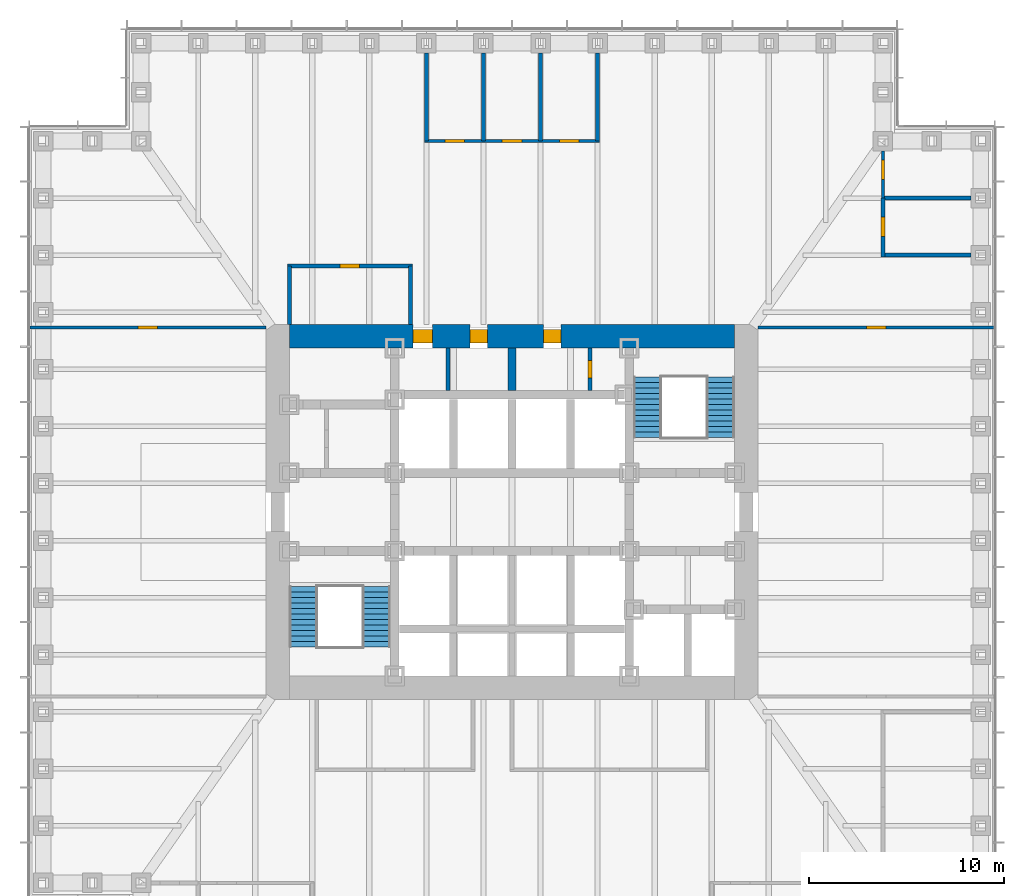
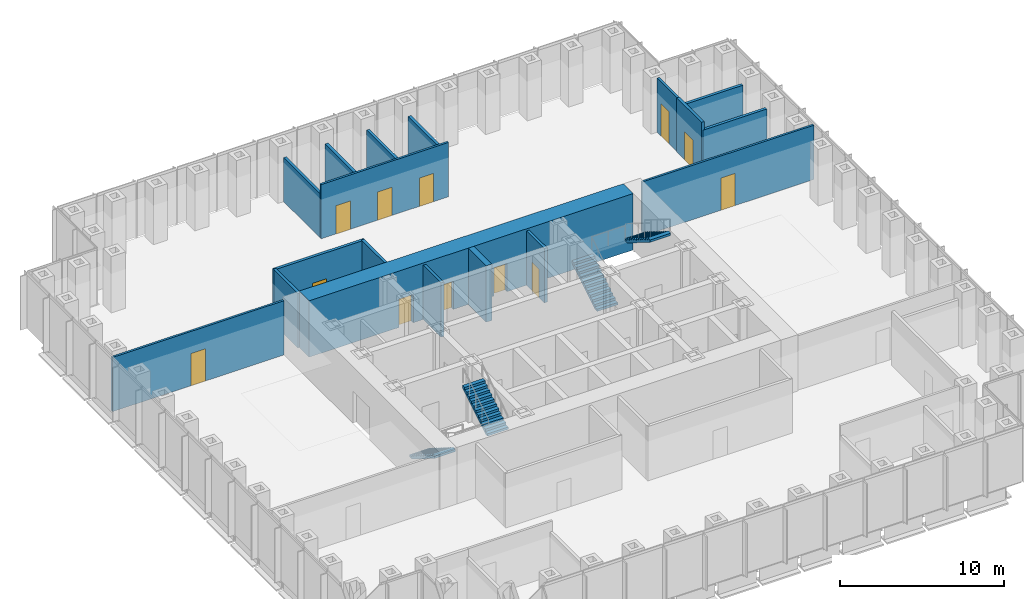
# One storey, part 10 of 16: 18 walls, 12 doors, 4 stair flights, 12 openings, 2 elements without a shape of their own.
"""IFC4 building model written with IfcOpenShell, lengths in metres."""

from ifc_helpers import new_model, si_unit, direction, frame, frame_2d, origin, place, context, subcontext, project, spatial, polyline, rectangle, outline, extrude, material, layer, layer_set, type_object, element, fill, aggregate, save


model = new_model("IFC4")

# Units and contexts
model_context = context("Model", 3, precision=1e-05, world=origin(), true_north=direction((0.0, 1.0)))
body_context = subcontext(model_context, "Body", "Model", "MODEL_VIEW")
ifc_project = project(units=[si_unit("LENGTHUNIT", "METRE"), si_unit("AREAUNIT", "SQUARE_METRE"), si_unit("VOLUMEUNIT", "CUBIC_METRE"), si_unit("PLANEANGLEUNIT", "RADIAN"), si_unit("MASSUNIT", "GRAM", prefix="KILO")], contexts=[model_context])

# Site, building, storey
site_placement = place(None, origin())
site = spatial("IfcSite", under=ifc_project, at=site_placement, CompositionType="ELEMENT")
building_placement = place(site_placement, origin())
building = spatial("IfcBuilding", under=site, at=building_placement, Name="Daluyong Arena Tower", CompositionType="ELEMENT")
storey_placement = place(building_placement, frame((0.0, 0.0, 47.5)))
storey = spatial("IfcBuildingStorey", under=building, at=storey_placement, Name="L09", CompositionType="ELEMENT", Elevation=47.5)

# Wall, openings, doors
ifc_material_1 = material(Name="Concrete fc' 60 MPa", Category="concrete")
ifc_layer_1 = layer(ifc_material_1, 1.199951171875)
ifc_layer_set_1 = layer_set([ifc_layer_1], Name="Concrete fc' 60 MPa")
wall_type_1 = type_object("IfcWallType", Name="Core wall 1200", PredefinedType="SHEAR", material=ifc_layer_set_1)
wall_1_placement = place(storey_placement, frame((44.60009765625, 89.0, 0.0), z_axis=(0.0, 0.0, 1.0), x_axis=(1.0, 0.0, 0.0)))
wall_1 = element("IfcWall", 1, at=wall_1_placement, inside=storey, type_object=wall_type_1, Name="core wall at L09", PredefinedType="SHEAR", context=body_context, shape_type="SweptSolid", body=[
    extrude(rectangle(XDim=22.7998046875, YDim=1.199951171875, at=frame_2d((11.39990234375, 0.0))), origin(), (0.0, 0.0, 1.0), 4.199951171875),
])
opening_1_placement = place(wall_1_placement, frame((6.324951171875, 0.0, 0.0)))
opening_1 = element("IfcOpeningElement", 2, at=opening_1_placement, cuts=wall_1, Name="Opening 09004", PredefinedType="OPENING", context=body_context, shape_type="SweptSolid", body=[
    extrude(rectangle(XDim=1.0, YDim=2.10009765625, at=frame_2d((0.5, 1.050048828125))), frame((0.0, 0.60986328125, 0.0), z_axis=(0.0, -1.0, 0.0), x_axis=(1.0, 0.0, 0.0)), (0.0, 0.0, 1.0), 1.219970703125),
])
opening_2_placement = place(wall_1_placement, frame((9.25, 0.0, 0.0)))
opening_2 = element("IfcOpeningElement", 3, at=opening_2_placement, cuts=wall_1, Name="Opening 09005", PredefinedType="OPENING", context=body_context, shape_type="SweptSolid", body=[
    extrude(rectangle(XDim=0.89990234375, YDim=2.10009765625, at=frame_2d((0.449951171875, 1.050048828125))), frame((0.0, 0.60986328125, 0.0), z_axis=(0.0, -1.0, 0.0), x_axis=(1.0, 0.0, 0.0)), (0.0, 0.0, 1.0), 1.219970703125),
])
opening_3_placement = place(wall_1_placement, frame((13.012451171875, 0.0, 0.0)))
opening_3 = element("IfcOpeningElement", 4, at=opening_3_placement, cuts=wall_1, Name="Opening 09006", PredefinedType="OPENING", context=body_context, shape_type="SweptSolid", body=[
    extrude(rectangle(XDim=0.89990234375, YDim=2.10009765625, at=frame_2d((0.449951171875, 1.050048828125))), frame((0.0, 0.60986328125, 0.0), z_axis=(0.0, -1.0, 0.0), x_axis=(1.0, 0.0, 0.0)), (0.0, 0.0, 1.0), 1.219970703125),
])
ifc_material_2 = material(Name="Timber door", Category="wood")
door_type_1 = type_object("IfcDoorType", Name="Accessible toilet door 1000", OperationType="SINGLE_SWING_LEFT", PredefinedType="DOOR", material=ifc_material_2)
door_1_placement = place(opening_1_placement, origin())
door_1 = element("IfcDoor", 5, at=door_1_placement, inside=storey, type_object=door_type_1, Name="accessible toilet door 09004", OperationType="SINGLE_SWING_LEFT", OverallHeight=2.10009765625, OverallWidth=1.0, PredefinedType="DOOR", context=body_context, shape_type="SweptSolid", body=[
    extrude(rectangle(XDim=1.0, YDim=2.10009765625, at=frame_2d((0.5, 1.050048828125))), frame((0.0, 0.35009765625, 0.0), z_axis=(0.0, -1.0, 0.0), x_axis=(1.0, 0.0, 0.0)), (0.0, 0.0, 1.0), 0.699951171875),
])
fill(opening_1, door_1)
ifc_material_3 = material(Name="Steel door, fire rated", Category="steel")
door_type_2 = type_object("IfcDoorType", Name="Core store door 900", OperationType="SINGLE_SWING_LEFT", PredefinedType="DOOR", material=ifc_material_3)
door_2_placement = place(opening_2_placement, origin())
door_2 = element("IfcDoor", 6, at=door_2_placement, inside=storey, type_object=door_type_2, Name="security store door 09005", OperationType="SINGLE_SWING_LEFT", OverallHeight=2.10009765625, OverallWidth=0.89990234375, PredefinedType="DOOR", context=body_context, shape_type="SweptSolid", body=[
    extrude(rectangle(XDim=0.89990234375, YDim=2.10009765625, at=frame_2d((0.449951171875, 1.050048828125))), frame((0.0, 0.35009765625, 0.0), z_axis=(0.0, -1.0, 0.0), x_axis=(1.0, 0.0, 0.0)), (0.0, 0.0, 1.0), 0.699951171875),
])
fill(opening_2, door_2)
door_3_placement = place(opening_3_placement, origin())
door_3 = element("IfcDoor", 7, at=door_3_placement, inside=storey, type_object=door_type_2, Name="furniture store door 09006", OperationType="SINGLE_SWING_LEFT", OverallHeight=2.10009765625, OverallWidth=0.89990234375, PredefinedType="DOOR", context=body_context, shape_type="SweptSolid", body=[
    extrude(rectangle(XDim=0.89990234375, YDim=2.10009765625, at=frame_2d((0.449951171875, 1.050048828125))), frame((0.0, 0.35009765625, 0.0), z_axis=(0.0, -1.0, 0.0), x_axis=(1.0, 0.0, 0.0)), (0.0, 0.0, 1.0), 0.699951171875),
])
fill(opening_3, door_3)

# Wall
ifc_material_4 = material(Name="Concrete block partition, fire rated", Category="concrete")
ifc_layer_2 = layer(ifc_material_4, 0.199951171875)
ifc_layer_set_2 = layer_set([ifc_layer_2], Name="Concrete block partition, fire rated")
wall_type_2 = type_object("IfcWallType", Name="Fire-rated partition 200", PredefinedType="PARTITIONING", material=ifc_layer_set_2)
wall_2_placement = place(storey_placement, frame((52.72509765625, 86.22509765625, 0.0), z_axis=(0.0, 0.0, 1.0), x_axis=(0.0, 1.0, 0.0)))
element("IfcWall", 8, at=wall_2_placement, inside=storey, type_object=wall_type_2, Name="core room partition at L09", PredefinedType="PARTITIONING", context=body_context, shape_type="SweptSolid", body=[
    extrude(rectangle(XDim=2.1748046875, YDim=0.199951171875, at=frame_2d((1.08740234375, 0.0))), origin(), (0.0, 0.0, 1.0), 4.0400390625),
])

# Wall, opening, door
wall_3_placement = place(storey_placement, frame((60.0, 86.22509765625, 0.0), z_axis=(0.0, 0.0, 1.0), x_axis=(0.0, 1.0, 0.0)))
wall_3 = element("IfcWall", 9, at=wall_3_placement, inside=storey, type_object=wall_type_2, Name="electrical riser enclosure at L09", PredefinedType="PARTITIONING", context=body_context, shape_type="SweptSolid", body=[
    extrude(rectangle(XDim=2.1748046875, YDim=0.199951171875, at=frame_2d((1.08740234375, 0.0))), origin(), (0.0, 0.0, 1.0), 4.0400390625),
])
opening_4_placement = place(wall_3_placement, frame((0.637451171875, 0.0, 0.0)))
opening_4 = element("IfcOpeningElement", 10, at=opening_4_placement, cuts=wall_3, Name="Opening 09007", PredefinedType="OPENING", context=body_context, shape_type="SweptSolid", body=[
    extrude(rectangle(XDim=0.89990234375, YDim=2.10009765625, at=frame_2d((0.449951171875, 1.050048828125))), frame((0.0, 0.10986328125, 0.0), z_axis=(0.0, -1.0, 0.0), x_axis=(1.0, 0.0, 0.0)), (0.0, 0.0, 1.0), 0.219970703125),
])
ifc_material_5 = material(Name="Steel door, fire rated", Category="steel")
door_type_3 = type_object("IfcDoorType", Name="Riser door 900", OperationType="SINGLE_SWING_LEFT", PredefinedType="DOOR", material=ifc_material_5)
door_4_placement = place(opening_4_placement, origin())
door_4 = element("IfcDoor", 11, at=door_4_placement, inside=storey, type_object=door_type_3, Name="riser door 09007", OperationType="SINGLE_SWING_LEFT", OverallHeight=2.10009765625, OverallWidth=0.89990234375, PredefinedType="DOOR", context=body_context, shape_type="SweptSolid", body=[
    extrude(rectangle(XDim=0.89990234375, YDim=2.10009765625, at=frame_2d((0.449951171875, 1.050048828125))), frame((0.0, 0.099609375, 0.0), z_axis=(0.0, -1.0, 0.0), x_axis=(1.0, 0.0, 0.0)), (0.0, 0.0, 1.0), 0.199462890625),
])
fill(opening_4, door_4)

ifc_material_6 = material(Name="Glazed aluminium partition", Category="aluminium")
ifc_layer_3 = layer(ifc_material_6, 0.14990234375)
ifc_layer_set_3 = layer_set([ifc_layer_3], Name="Glazed aluminium partition")
wall_type_3 = type_object("IfcWallType", Name="Glazed partition 150", PredefinedType="PARTITIONING", material=ifc_layer_set_3)
wall_4_placement = place(storey_placement, frame((31.31005859375, 89.449951171875, 0.0), z_axis=(0.0, 0.0, 1.0), x_axis=(1.0, 0.0, 0.0)))
wall_4 = element("IfcWall", 12, at=wall_4_placement, inside=storey, type_object=wall_type_3, Name="glazed partition at L09", PredefinedType="PARTITIONING", context=body_context, shape_type="SweptSolid", body=[
    extrude(rectangle(XDim=12.08984375, YDim=0.14990234375, at=frame_2d((6.044921875, 0.0))), origin(), (0.0, 0.0, 1.0), 4.0400390625),
])
opening_5_placement = place(wall_4_placement, frame((5.544921875, 0.0, 0.0)))
opening_5 = element("IfcOpeningElement", 13, at=opening_5_placement, cuts=wall_4, Name="Opening 09035", PredefinedType="OPENING", context=body_context, shape_type="SweptSolid", body=[
    extrude(rectangle(XDim=1.0, YDim=2.39990234375, at=frame_2d((0.5, 1.199951171875))), frame((0.0, 0.0849609375, 0.0), z_axis=(0.0, -1.0, 0.0), x_axis=(1.0, 0.0, 0.0)), (0.0, 0.0, 1.0), 0.169921875),
])
ifc_material_7 = material(Name="Glazed aluminium door", Category="aluminium")
door_type_4 = type_object("IfcDoorType", Name="Meeting room glazed door 1000", OperationType="SINGLE_SWING_RIGHT", PredefinedType="DOOR", material=ifc_material_7)
door_5_placement = place(opening_5_placement, origin())
door_5 = element("IfcDoor", 14, at=door_5_placement, inside=storey, type_object=door_type_4, Name="team area screen door 09035", OperationType="SINGLE_SWING_RIGHT", OverallHeight=2.39990234375, OverallWidth=1.0, PredefinedType="DOOR", context=body_context, shape_type="SweptSolid", body=[
    extrude(rectangle(XDim=1.0, YDim=2.39990234375, at=frame_2d((0.5, 1.199951171875))), frame((0.0, 0.07470703125, 0.0), z_axis=(0.0, -1.0, 0.0), x_axis=(1.0, 0.0, 0.0)), (0.0, 0.0, 1.0), 0.1494140625),
])
fill(opening_5, door_5)

wall_5_placement = place(storey_placement, frame((68.60009765625, 89.449951171875, 0.0), z_axis=(0.0, 0.0, 1.0), x_axis=(1.0, 0.0, 0.0)))
wall_5 = element("IfcWall", 15, at=wall_5_placement, inside=storey, type_object=wall_type_3, Name="glazed partition at L09", PredefinedType="PARTITIONING", context=body_context, shape_type="SweptSolid", body=[
    extrude(rectangle(XDim=12.08984375, YDim=0.14990234375, at=frame_2d((6.044921875, 0.0))), origin(), (0.0, 0.0, 1.0), 4.0400390625),
])
opening_6_placement = place(wall_5_placement, frame((5.544921875, 0.0, 0.0)))
opening_6 = element("IfcOpeningElement", 16, at=opening_6_placement, cuts=wall_5, Name="Opening 09037", PredefinedType="OPENING", context=body_context, shape_type="SweptSolid", body=[
    extrude(rectangle(XDim=1.0, YDim=2.39990234375, at=frame_2d((0.5, 1.199951171875))), frame((0.0, 0.0849609375, 0.0), z_axis=(0.0, -1.0, 0.0), x_axis=(1.0, 0.0, 0.0)), (0.0, 0.0, 1.0), 0.169921875),
])
door_6_placement = place(opening_6_placement, origin())
door_6 = element("IfcDoor", 17, at=door_6_placement, inside=storey, type_object=door_type_4, Name="team area screen door 09037", OperationType="SINGLE_SWING_RIGHT", OverallHeight=2.39990234375, OverallWidth=1.0, PredefinedType="DOOR", context=body_context, shape_type="SweptSolid", body=[
    extrude(rectangle(XDim=1.0, YDim=2.39990234375, at=frame_2d((0.5, 1.199951171875))), frame((0.0, 0.07470703125, 0.0), z_axis=(0.0, -1.0, 0.0), x_axis=(1.0, 0.0, 0.0)), (0.0, 0.0, 1.0), 0.1494140625),
])
fill(opening_6, door_6)

# Wall, openings, doors
wall_6_placement = place(storey_placement, frame((51.515380859375, 99.0, 0.0), z_axis=(0.0, 0.0, 1.0), x_axis=(1.0, 0.0, 0.0)))
wall_6 = element("IfcWall", 18, at=wall_6_placement, inside=storey, type_object=wall_type_3, Name="glazed partition at L09", PredefinedType="PARTITIONING", context=body_context, shape_type="SweptSolid", body=[
    extrude(rectangle(XDim=8.96923828125, YDim=0.14990234375, at=frame_2d((4.484619140625, 0.0))), origin(), (0.0, 0.0, 1.0), 4.0400390625),
])
opening_7_placement = place(wall_6_placement, frame((1.0615234375, 0.0, 0.0)))
opening_7 = element("IfcOpeningElement", 19, at=opening_7_placement, cuts=wall_6, Name="Opening 09028", PredefinedType="OPENING", context=body_context, shape_type="SweptSolid", body=[
    extrude(rectangle(XDim=1.0, YDim=2.10009765625, at=frame_2d((0.5, 1.050048828125))), frame((0.0, 0.0849609375, 0.0), z_axis=(0.0, -1.0, 0.0), x_axis=(1.0, 0.0, 0.0)), (0.0, 0.0, 1.0), 0.169921875),
])
opening_8_placement = place(wall_6_placement, frame((3.984619140625, 0.0, 0.0)))
opening_8 = element("IfcOpeningElement", 20, at=opening_8_placement, cuts=wall_6, Name="Opening 09029", PredefinedType="OPENING", context=body_context, shape_type="SweptSolid", body=[
    extrude(rectangle(XDim=1.0, YDim=2.10009765625, at=frame_2d((0.5, 1.050048828125))), frame((0.0, 0.0849609375, 0.0), z_axis=(0.0, -1.0, 0.0), x_axis=(1.0, 0.0, 0.0)), (0.0, 0.0, 1.0), 0.169921875),
])
opening_9_placement = place(wall_6_placement, frame((6.90771484375, 0.0, 0.0)))
opening_9 = element("IfcOpeningElement", 21, at=opening_9_placement, cuts=wall_6, Name="Opening 09030", PredefinedType="OPENING", context=body_context, shape_type="SweptSolid", body=[
    extrude(rectangle(XDim=1.0, YDim=2.10009765625, at=frame_2d((0.5, 1.050048828125))), frame((0.0, 0.0849609375, 0.0), z_axis=(0.0, -1.0, 0.0), x_axis=(1.0, 0.0, 0.0)), (0.0, 0.0, 1.0), 0.169921875),
])
ifc_material_8 = material(Name="Timber door", Category="wood")
door_type_5 = type_object("IfcDoorType", Name="Room door 1000", OperationType="SINGLE_SWING_LEFT", PredefinedType="DOOR", material=ifc_material_8)
door_7_placement = place(opening_7_placement, origin())
door_7 = element("IfcDoor", 22, at=door_7_placement, inside=storey, type_object=door_type_5, Name="office door 09028", OperationType="SINGLE_SWING_LEFT", OverallHeight=2.10009765625, OverallWidth=1.0, PredefinedType="DOOR", context=body_context, shape_type="SweptSolid", body=[
    extrude(rectangle(XDim=1.0, YDim=2.10009765625, at=frame_2d((0.5, 1.050048828125))), frame((0.0, 0.07470703125, 0.0), z_axis=(0.0, -1.0, 0.0), x_axis=(1.0, 0.0, 0.0)), (0.0, 0.0, 1.0), 0.1494140625),
])
fill(opening_7, door_7)
door_8_placement = place(opening_8_placement, origin())
door_8 = element("IfcDoor", 23, at=door_8_placement, inside=storey, type_object=door_type_5, Name="office door 09029", OperationType="SINGLE_SWING_LEFT", OverallHeight=2.10009765625, OverallWidth=1.0, PredefinedType="DOOR", context=body_context, shape_type="SweptSolid", body=[
    extrude(rectangle(XDim=1.0, YDim=2.10009765625, at=frame_2d((0.5, 1.050048828125))), frame((0.0, 0.07470703125, 0.0), z_axis=(0.0, -1.0, 0.0), x_axis=(1.0, 0.0, 0.0)), (0.0, 0.0, 1.0), 0.1494140625),
])
fill(opening_8, door_8)
door_9_placement = place(opening_9_placement, origin())
door_9 = element("IfcDoor", 24, at=door_9_placement, inside=storey, type_object=door_type_5, Name="office door 09030", OperationType="SINGLE_SWING_LEFT", OverallHeight=2.10009765625, OverallWidth=1.0, PredefinedType="DOOR", context=body_context, shape_type="SweptSolid", body=[
    extrude(rectangle(XDim=1.0, YDim=2.10009765625, at=frame_2d((0.5, 1.050048828125))), frame((0.0, 0.07470703125, 0.0), z_axis=(0.0, -1.0, 0.0), x_axis=(1.0, 0.0, 0.0)), (0.0, 0.0, 1.0), 0.1494140625),
])
fill(opening_9, door_9)

# Wall, opening, door
wall_7_placement = place(storey_placement, frame((75.0, 96.076904296875, 0.0), z_axis=(0.0, 0.0, 1.0), x_axis=(0.0, 1.0, 0.0)))
wall_7 = element("IfcWall", 25, at=wall_7_placement, inside=storey, type_object=wall_type_3, Name="glazed partition at L09", PredefinedType="PARTITIONING", context=body_context, shape_type="SweptSolid", body=[
    extrude(rectangle(XDim=2.423095703125, YDim=0.14990234375, at=frame_2d((1.21142578125, 0.0))), origin(), (0.0, 0.0, 1.0), 4.0400390625),
])
opening_10_placement = place(wall_7_placement, frame((0.96142578125, 0.0, 0.0)))
opening_10 = element("IfcOpeningElement", 26, at=opening_10_placement, cuts=wall_7, Name="Opening 09027", PredefinedType="OPENING", context=body_context, shape_type="SweptSolid", body=[
    extrude(rectangle(XDim=1.0, YDim=2.39990234375, at=frame_2d((0.5, 1.199951171875))), frame((0.0, 0.0849609375, 0.0), z_axis=(0.0, -1.0, 0.0), x_axis=(1.0, 0.0, 0.0)), (0.0, 0.0, 1.0), 0.169921875),
])
door_10_placement = place(opening_10_placement, origin())
door_10 = element("IfcDoor", 27, at=door_10_placement, inside=storey, type_object=door_type_4, Name="meeting room door 09027", OperationType="SINGLE_SWING_RIGHT", OverallHeight=2.39990234375, OverallWidth=1.0, PredefinedType="DOOR", context=body_context, shape_type="SweptSolid", body=[
    extrude(rectangle(XDim=1.0, YDim=2.39990234375, at=frame_2d((0.5, 1.199951171875))), frame((0.0, 0.07470703125, 0.0), z_axis=(0.0, -1.0, 0.0), x_axis=(1.0, 0.0, 0.0)), (0.0, 0.0, 1.0), 0.1494140625),
])
fill(opening_10, door_10)

# Walls
ifc_material_9 = material(Name="Concrete fc' 45 MPa", Category="concrete")
ifc_layer_4 = layer(ifc_material_9, 0.39990234375)
ifc_layer_set_4 = layer_set([ifc_layer_4], Name="Concrete fc' 45 MPa")
wall_type_4 = type_object("IfcWallType", Name="Lift shaft wall 400", PredefinedType="SHEAR", material=ifc_layer_set_4)
wall_8_placement = place(storey_placement, frame((56.0, 86.22509765625, 0.0), z_axis=(0.0, 0.0, 1.0), x_axis=(0.0, 1.0, 0.0)))
element("IfcWall", 28, at=wall_8_placement, inside=storey, type_object=wall_type_4, Name="lift shaft wall at L09", PredefinedType="SHEAR", context=body_context, shape_type="SweptSolid", body=[
    extrude(rectangle(XDim=2.1748046875, YDim=0.39990234375, at=frame_2d((1.08740234375, 0.0))), origin(), (0.0, 0.0, 1.0), 4.199951171875),
])
ifc_material_10 = material(Name="Concrete block partition", Category="concrete")
ifc_layer_5 = layer(ifc_material_10, 0.199951171875)
ifc_layer_set_5 = layer_set([ifc_layer_5], Name="Concrete block partition")
wall_type_5 = type_object("IfcWallType", Name="Partition 200", PredefinedType="PARTITIONING", material=ifc_layer_set_5)
for number, where, z_axis, x_axis, name in (
    (29, (75.0, 93.15380859375, 0.0), (0.0, 0.0, 1.0), (1.0, 0.0, 0.0), "partition at L09"),
    (30, (75.0, 96.076904296875, 0.0), (0.0, 0.0, 1.0), (1.0, 0.0, 0.0), "partition at L09"),
):
    element("IfcWall", number, at=place(storey_placement, frame(where, z_axis=z_axis, x_axis=x_axis)), inside=storey, type_object=wall_type_5, Name=name, PredefinedType="PARTITIONING", context=body_context, shape_type="SweptSolid", body=[
        extrude(rectangle(XDim=4.5, YDim=0.199951171875, at=frame_2d((2.25, 0.0))), origin(), (0.0, 0.0, 1.0), 3.427978515625),
    ])
for number, where, z_axis, x_axis, name in (
    (31, (51.615478515625, 99.0, 0.0), (0.0, 0.0, 1.0), (0.0, 1.0, 0.0), "partition at L09"),
    (32, (54.53857421875, 99.0, 0.0), (0.0, 0.0, 1.0), (0.0, 1.0, 0.0), "partition at L09"),
    (33, (57.46142578125, 99.0, 0.0), (0.0, 0.0, 1.0), (0.0, 1.0, 0.0), "partition at L09"),
    (34, (60.384521484375, 99.0, 0.0), (0.0, 0.0, 1.0), (0.0, 1.0, 0.0), "partition at L09"),
):
    element("IfcWall", number, at=place(storey_placement, frame(where, z_axis=z_axis, x_axis=x_axis)), inside=storey, type_object=wall_type_5, Name=name, PredefinedType="PARTITIONING", context=body_context, shape_type="SweptSolid", body=[
        extrude(rectangle(XDim=4.5, YDim=0.199951171875, at=frame_2d((2.25, 0.0))), origin(), (0.0, 0.0, 1.0), 3.278076171875),
    ])
for number, where, z_axis, x_axis, name in (
    (35, (44.60009765625, 89.60009765625, 0.0), (0.0, 0.0, 1.0), (0.0, 1.0, 0.0), "partition at L09"),
    (36, (50.800048828125, 89.60009765625, 0.0), (0.0, 0.0, 1.0), (0.0, 1.0, 0.0), "partition at L09"),
):
    element("IfcWall", number, at=place(storey_placement, frame(where, z_axis=z_axis, x_axis=x_axis)), inside=storey, type_object=wall_type_5, Name=name, PredefinedType="PARTITIONING", context=body_context, shape_type="SweptSolid", body=[
        extrude(rectangle(XDim=3.0, YDim=0.199951171875, at=frame_2d((1.5, 0.0))), origin(), (0.0, 0.0, 1.0), 4.0400390625),
    ])

# Wall, opening, door
wall_9_placement = place(storey_placement, frame((44.5, 92.60009765625, 0.0), z_axis=(0.0, 0.0, 1.0), x_axis=(1.0, 0.0, 0.0)))
wall_9 = element("IfcWall", 37, at=wall_9_placement, inside=storey, type_object=wall_type_5, Name="partition at L09", PredefinedType="PARTITIONING", context=body_context, shape_type="SweptSolid", body=[
    extrude(rectangle(XDim=6.39990234375, YDim=0.199951171875, at=frame_2d((3.199951171875, 0.0))), origin(), (0.0, 0.0, 1.0), 4.0400390625),
])
opening_11_placement = place(wall_9_placement, frame((2.699951171875, 0.0, 0.0)))
opening_11 = element("IfcOpeningElement", 38, at=opening_11_placement, cuts=wall_9, Name="Opening 09033", PredefinedType="OPENING", context=body_context, shape_type="SweptSolid", body=[
    extrude(rectangle(XDim=1.0, YDim=2.10009765625, at=frame_2d((0.5, 1.050048828125))), frame((0.0, 0.10986328125, 0.0), z_axis=(0.0, -1.0, 0.0), x_axis=(1.0, 0.0, 0.0)), (0.0, 0.0, 1.0), 0.219970703125),
])
door_11_placement = place(opening_11_placement, origin())
door_11 = element("IfcDoor", 39, at=door_11_placement, inside=storey, type_object=door_type_5, Name="comms room door 09033", OperationType="SINGLE_SWING_LEFT", OverallHeight=2.10009765625, OverallWidth=1.0, PredefinedType="DOOR", context=body_context, shape_type="SweptSolid", body=[
    extrude(rectangle(XDim=1.0, YDim=2.10009765625, at=frame_2d((0.5, 1.050048828125))), frame((0.0, 0.099609375, 0.0), z_axis=(0.0, -1.0, 0.0), x_axis=(1.0, 0.0, 0.0)), (0.0, 0.0, 1.0), 0.199462890625),
])
fill(opening_11, door_11)

wall_10_placement = place(storey_placement, frame((75.0, 93.053955078125, 0.0), z_axis=(0.0, 0.0, 1.0), x_axis=(0.0, 1.0, 0.0)))
wall_10 = element("IfcWall", 40, at=wall_10_placement, inside=storey, type_object=wall_type_5, Name="partition at L09", PredefinedType="PARTITIONING", context=body_context, shape_type="SweptSolid", body=[
    extrude(rectangle(XDim=3.02294921875, YDim=0.199951171875, at=frame_2d((1.511474609375, 0.0))), origin(), (0.0, 0.0, 1.0), 4.0400390625),
])
opening_12_placement = place(wall_10_placement, frame((1.0615234375, 0.0, 0.0)))
opening_12 = element("IfcOpeningElement", 41, at=opening_12_placement, cuts=wall_10, Name="Opening 09026", PredefinedType="OPENING", context=body_context, shape_type="SweptSolid", body=[
    extrude(rectangle(XDim=1.0, YDim=2.10009765625, at=frame_2d((0.5, 1.050048828125))), frame((0.0, 0.10986328125, 0.0), z_axis=(0.0, -1.0, 0.0), x_axis=(1.0, 0.0, 0.0)), (0.0, 0.0, 1.0), 0.219970703125),
])
door_12_placement = place(opening_12_placement, origin())
door_12 = element("IfcDoor", 42, at=door_12_placement, inside=storey, type_object=door_type_5, Name="copy room door 09026", OperationType="SINGLE_SWING_LEFT", OverallHeight=2.10009765625, OverallWidth=1.0, PredefinedType="DOOR", context=body_context, shape_type="SweptSolid", body=[
    extrude(rectangle(XDim=1.0, YDim=2.10009765625, at=frame_2d((0.5, 1.050048828125))), frame((0.0, 0.099609375, 0.0), z_axis=(0.0, -1.0, 0.0), x_axis=(1.0, 0.0, 0.0)), (0.0, 0.0, 1.0), 0.199462890625),
])
fill(opening_12, door_12)

# Stair, stair flights
ifc_material_11 = material(Name="Concrete fc' 35 MPa", Category="concrete")
stair_type = type_object("IfcStairType", Name="Core exit stair", PredefinedType="HALF_TURN_STAIR", material=ifc_material_11)
stair_1_placement = place(storey_placement, origin())
stair_1 = element("IfcStair", 43, at=stair_1_placement, inside=storey, type_object=stair_type, Name="exit stair A L09", PredefinedType="HALF_TURN_STAIR")
ifc_material_12 = material(Name="Concrete fc' 35 MPa", Category="concrete")
stair_flight_type = type_object("IfcStairFlightType", Name="Core stair flight", PredefinedType="STRAIGHT", material=ifc_material_12)
stair_flight_1_placement = place(storey_placement, frame((45.324951171875, 76.175048828125, 0.0), z_axis=(0.0, 0.0, 1.0), x_axis=(0.0, -1.0, 0.0)))
stair_flight_1 = element("IfcStairFlight", 44, at=stair_flight_1_placement, type_object=stair_flight_type, Name="STA flight 1", NumberOfRisers=12, NumberOfTreads=11, PredefinedType="STRAIGHT", RiserHeight=0.175, TreadLength=0.28, context=body_context, shape_type="SweptSolid", body=[
    extrude(outline(polyline([(0.0, 0.0), (0.0, 0.175048828125), (0.280029296875, 0.175048828125), (0.280029296875, 0.35009765625), (0.56005859375, 0.35009765625), (0.56005859375, 0.52490234375), (0.840087890625, 0.52490234375), (0.840087890625, 0.699951171875), (1.1201171875, 0.699951171875), (1.1201171875, 0.875), (1.39990234375, 0.875), (1.39990234375, 1.050048828125), (1.679931640625, 1.050048828125), (1.679931640625, 1.22509765625), (1.9599609375, 1.22509765625), (1.9599609375, 1.39990234375), (2.239990234375, 1.39990234375), (2.239990234375, 1.574951171875), (2.52001953125, 1.574951171875), (2.52001953125, 1.75), (2.800048828125, 1.75), (2.800048828125, 1.925048828125), (3.080078125, 1.925048828125), (3.080078125, 2.10009765625), (3.080078125, 1.748291015625), (0.28271484375, 0.0), (0.0, 0.0)])), frame((0.0, 0.72509765625, 0.0), z_axis=(0.0, -1.0, 0.0), x_axis=(1.0, 0.0, 0.0)), (0.0, 0.0, 1.0), 1.449951171875),
])
stair_flight_2_placement = place(storey_placement, frame((49.050048828125, 73.094970703125, 2.10009765625), z_axis=(0.0, 0.0, 1.0), x_axis=(0.0, 1.0, 0.0)))
stair_flight_2 = element("IfcStairFlight", 45, at=stair_flight_2_placement, type_object=stair_flight_type, Name="STA flight 2", NumberOfRisers=12, NumberOfTreads=11, PredefinedType="STRAIGHT", RiserHeight=0.175, TreadLength=0.28, context=body_context, shape_type="SweptSolid", body=[
    extrude(outline(polyline([(0.0, 0.0), (0.0, 0.175048828125), (0.280029296875, 0.175048828125), (0.280029296875, 0.35009765625), (0.56005859375, 0.35009765625), (0.56005859375, 0.52490234375), (0.840087890625, 0.52490234375), (0.840087890625, 0.699951171875), (1.1201171875, 0.699951171875), (1.1201171875, 0.875), (1.39990234375, 0.875), (1.39990234375, 1.050048828125), (1.679931640625, 1.050048828125), (1.679931640625, 1.22509765625), (1.9599609375, 1.22509765625), (1.9599609375, 1.39990234375), (2.239990234375, 1.39990234375), (2.239990234375, 1.574951171875), (2.52001953125, 1.574951171875), (2.52001953125, 1.75), (2.800048828125, 1.75), (2.800048828125, 1.925048828125), (3.080078125, 1.925048828125), (3.080078125, 2.10009765625), (3.080078125, 1.748291015625), (0.28271484375, 0.0), (0.0, 0.0)])), frame((0.0, 0.72509765625, 0.0), z_axis=(0.0, -1.0, 0.0), x_axis=(1.0, 0.0, 0.0)), (0.0, 0.0, 1.0), 1.449951171875),
])
aggregate(stair_1, [stair_flight_1, stair_flight_2])

stair_2_placement = place(storey_placement, origin())
stair_2 = element("IfcStair", 46, at=stair_2_placement, inside=storey, type_object=stair_type, Name="exit stair B L09", PredefinedType="HALF_TURN_STAIR")
stair_flight_3_placement = place(storey_placement, frame((62.949951171875, 83.824951171875, 0.0), z_axis=(0.0, 0.0, 1.0), x_axis=(0.0, 1.0, 0.0)))
stair_flight_3 = element("IfcStairFlight", 47, at=stair_flight_3_placement, type_object=stair_flight_type, Name="STB flight 1", NumberOfRisers=12, NumberOfTreads=11, PredefinedType="STRAIGHT", RiserHeight=0.175, TreadLength=0.28, context=body_context, shape_type="SweptSolid", body=[
    extrude(outline(polyline([(0.0, 0.0), (0.0, 0.175048828125), (0.280029296875, 0.175048828125), (0.280029296875, 0.35009765625), (0.56005859375, 0.35009765625), (0.56005859375, 0.52490234375), (0.840087890625, 0.52490234375), (0.840087890625, 0.699951171875), (1.1201171875, 0.699951171875), (1.1201171875, 0.875), (1.39990234375, 0.875), (1.39990234375, 1.050048828125), (1.679931640625, 1.050048828125), (1.679931640625, 1.22509765625), (1.9599609375, 1.22509765625), (1.9599609375, 1.39990234375), (2.239990234375, 1.39990234375), (2.239990234375, 1.574951171875), (2.52001953125, 1.574951171875), (2.52001953125, 1.75), (2.800048828125, 1.75), (2.800048828125, 1.925048828125), (3.080078125, 1.925048828125), (3.080078125, 2.10009765625), (3.080078125, 1.748291015625), (0.28271484375, 0.0), (0.0, 0.0)])), frame((0.0, 0.72509765625, 0.0), z_axis=(0.0, -1.0, 0.0), x_axis=(1.0, 0.0, 0.0)), (0.0, 0.0, 1.0), 1.449951171875),
])
stair_flight_4_placement = place(storey_placement, frame((66.675048828125, 86.905029296875, 2.10009765625), z_axis=(0.0, 0.0, 1.0), x_axis=(0.0, -1.0, 0.0)))
stair_flight_4 = element("IfcStairFlight", 48, at=stair_flight_4_placement, type_object=stair_flight_type, Name="STB flight 2", NumberOfRisers=12, NumberOfTreads=11, PredefinedType="STRAIGHT", RiserHeight=0.175, TreadLength=0.28, context=body_context, shape_type="SweptSolid", body=[
    extrude(outline(polyline([(0.0, 0.0), (0.0, 0.175048828125), (0.280029296875, 0.175048828125), (0.280029296875, 0.35009765625), (0.56005859375, 0.35009765625), (0.56005859375, 0.52490234375), (0.840087890625, 0.52490234375), (0.840087890625, 0.699951171875), (1.1201171875, 0.699951171875), (1.1201171875, 0.875), (1.39990234375, 0.875), (1.39990234375, 1.050048828125), (1.679931640625, 1.050048828125), (1.679931640625, 1.22509765625), (1.9599609375, 1.22509765625), (1.9599609375, 1.39990234375), (2.239990234375, 1.39990234375), (2.239990234375, 1.574951171875), (2.52001953125, 1.574951171875), (2.52001953125, 1.75), (2.800048828125, 1.75), (2.800048828125, 1.925048828125), (3.080078125, 1.925048828125), (3.080078125, 2.10009765625), (3.080078125, 1.748291015625), (0.28271484375, 0.0), (0.0, 0.0)])), frame((0.0, 0.72509765625, 0.0), z_axis=(0.0, -1.0, 0.0), x_axis=(1.0, 0.0, 0.0)), (0.0, 0.0, 1.0), 1.449951171875),
])
aggregate(stair_2, [stair_flight_3, stair_flight_4])

save(model, "model.ifc")
